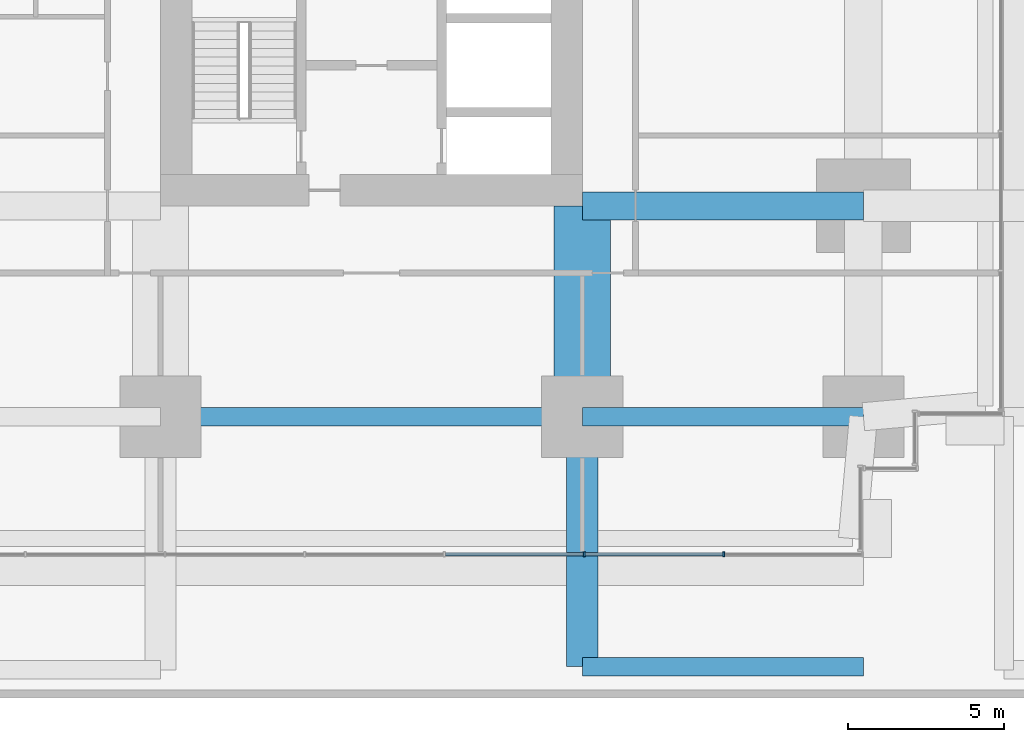
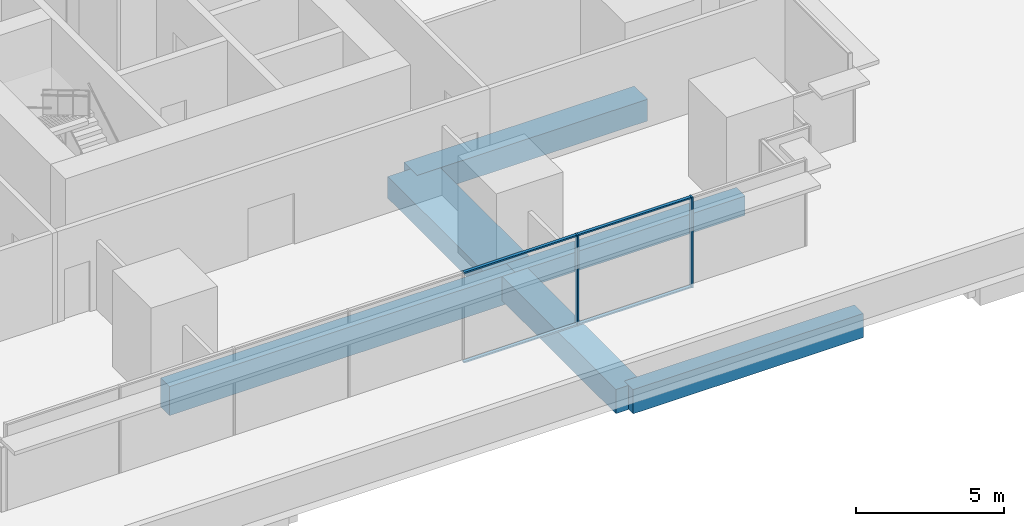
# One storey, part 3 of 34: 6 beams, 6 members, 1 element without a shape of its own.
"""IFC4 building model written with IfcOpenShell, lengths in metres."""

from ifc_helpers import new_model, si_unit, direction, frame, origin, origin_2d, place, context, subcontext, project, spatial, rectangle, extrude, material, layer, layer_set, material_profile, profile_set, type_object, element, aggregate, save


model = new_model("IFC4")

# Units and contexts
model_context = context("Model", 3, precision=1e-05, world=origin(), true_north=direction((0.0, 1.0)))
body_context = subcontext(model_context, "Body", "Model", "MODEL_VIEW")
ifc_project = project(units=[si_unit("LENGTHUNIT", "METRE"), si_unit("AREAUNIT", "SQUARE_METRE"), si_unit("VOLUMEUNIT", "CUBIC_METRE"), si_unit("PLANEANGLEUNIT", "RADIAN"), si_unit("MASSUNIT", "GRAM", prefix="KILO")], contexts=[model_context])

# Site, building, storey
site_placement = place(None, origin())
site = spatial("IfcSite", under=ifc_project, at=site_placement, CompositionType="ELEMENT")
building_placement = place(site_placement, origin())
building = spatial("IfcBuilding", under=site, at=building_placement, Name="Namib Vertical Campus", CompositionType="ELEMENT")
storey_placement = place(building_placement, frame((0.0, 0.0, 21.0)))
storey = spatial("IfcBuildingStorey", under=building, at=storey_placement, Name="L04", CompositionType="ELEMENT", Elevation=21.0)

# Curtain wall, members
ifc_material_1 = material(Name="Black aluminium curtain wall", Category="aluminium")
ifc_layer = layer(ifc_material_1, 0.199951171875)
ifc_layer_set = layer_set([ifc_layer], Name="Lounge curtain wall CW-L4")
curtain_wall_type = type_object("IfcCurtainWallType", Name="Lounge curtain wall CW-L4", PredefinedType="USERDEFINED", material=ifc_layer_set)
curtain_wall_placement = place(storey_placement, origin())
curtain_wall = element("IfcCurtainWall", 1, at=curtain_wall_placement, inside=storey, type_object=curtain_wall_type, Name="Curtain wall CW-L4 L04 F01-1", ObjectType="CURTAIN WALL", PredefinedType="USERDEFINED")
ifc_material_2 = material(Name="Black anodised aluminium", Category="aluminium")
ifc_material_profile_1 = material_profile(ifc_material_2, rectangle(XDim=0.06005859375, YDim=0.159912109375, at=origin_2d()))
ifc_profile_set_1 = profile_set([ifc_material_profile_1], Name="Black anodised aluminium")
member_type_1 = type_object("IfcMemberType", Name="Curtain wall mullion 60x160", PredefinedType="MULLION", material=ifc_profile_set_1)
member_1_placement = place(storey_placement, frame((27.05712890625, 0.10009765625, 0.0), z_axis=(0.0, 0.0, 1.0), x_axis=(1.0, 0.0, 0.0)))
member_1 = element("IfcMember", 2, at=member_1_placement, type_object=member_type_1, Name="CW-L4 mullion 6", PredefinedType="MULLION", context=body_context, shape_type="SweptSolid", body=[
    extrude(rectangle(XDim=0.06005859375, YDim=0.159912109375, at=origin_2d()), origin(), (0.0, 0.0, 1.0), 3.75),
])
member_2_placement = place(storey_placement, frame((31.528564453125, 0.10009765625, 0.0), z_axis=(0.0, 0.0, 1.0), x_axis=(1.0, 0.0, 0.0)))
member_2 = element("IfcMember", 3, at=member_2_placement, type_object=member_type_1, Name="CW-L4 mullion 7", PredefinedType="MULLION", context=body_context, shape_type="SweptSolid", body=[
    extrude(rectangle(XDim=0.06005859375, YDim=0.159912109375, at=origin_2d()), origin(), (0.0, 0.0, 1.0), 3.75),
])
ifc_material_3 = material(Name="Black anodised aluminium", Category="aluminium")
ifc_material_profile_2 = material_profile(ifc_material_3, rectangle(XDim=0.06005859375, YDim=0.1201171875, at=origin_2d()))
ifc_profile_set_2 = profile_set([ifc_material_profile_2], Name="Black anodised aluminium")
member_type_2 = type_object("IfcMemberType", Name="Curtain wall transom 60x120", PredefinedType="USERDEFINED", material=ifc_profile_set_2)
member_3_placement = place(storey_placement, frame((22.61572265625, 0.10009765625, 0.030029296875), z_axis=(1.0, 0.0, 0.0), x_axis=(0.0, 0.0, 1.0)))
member_3 = element("IfcMember", 4, at=member_3_placement, type_object=member_type_2, Name="CW-L4 transom 5.1", ObjectType="TRANSOM", PredefinedType="USERDEFINED", context=body_context, shape_type="SweptSolid", body=[
    extrude(rectangle(XDim=0.06005859375, YDim=0.1201171875, at=origin_2d()), origin(), (0.0, 0.0, 1.0), 4.411376953125),
])
member_4_placement = place(storey_placement, frame((22.61572265625, 0.10009765625, 3.719970703125), z_axis=(1.0, 0.0, 0.0), x_axis=(0.0, 0.0, 1.0)))
member_4 = element("IfcMember", 5, at=member_4_placement, type_object=member_type_2, Name="CW-L4 transom 5.2", ObjectType="TRANSOM", PredefinedType="USERDEFINED", context=body_context, shape_type="SweptSolid", body=[
    extrude(rectangle(XDim=0.06005859375, YDim=0.1201171875, at=origin_2d()), origin(), (0.0, 0.0, 1.0), 4.411376953125),
])
member_5_placement = place(storey_placement, frame((27.087158203125, 0.10009765625, 0.030029296875), z_axis=(1.0, 0.0, 0.0), x_axis=(0.0, 0.0, 1.0)))
member_5 = element("IfcMember", 6, at=member_5_placement, type_object=member_type_2, Name="CW-L4 transom 6.1", ObjectType="TRANSOM", PredefinedType="USERDEFINED", context=body_context, shape_type="SweptSolid", body=[
    extrude(rectangle(XDim=0.06005859375, YDim=0.1201171875, at=origin_2d()), origin(), (0.0, 0.0, 1.0), 4.411376953125),
])
member_6_placement = place(storey_placement, frame((27.087158203125, 0.10009765625, 3.719970703125), z_axis=(1.0, 0.0, 0.0), x_axis=(0.0, 0.0, 1.0)))
member_6 = element("IfcMember", 7, at=member_6_placement, type_object=member_type_2, Name="CW-L4 transom 6.2", ObjectType="TRANSOM", PredefinedType="USERDEFINED", context=body_context, shape_type="SweptSolid", body=[
    extrude(rectangle(XDim=0.06005859375, YDim=0.1201171875, at=origin_2d()), origin(), (0.0, 0.0, 1.0), 4.411376953125),
])
aggregate(curtain_wall, [member_1, member_2, member_3, member_4, member_5, member_6])

# Beams
ifc_material_4 = material(Name="Concrete C40/50", Category="concrete")
ifc_material_profile_3 = material_profile(ifc_material_4, rectangle(XDim=0.89990234375, YDim=0.89990234375, at=origin_2d()))
ifc_profile_set_3 = profile_set([ifc_material_profile_3], Name="Concrete C40/50")
beam_type_1 = type_object("IfcBeamType", Name="Face girder RC 900x900", PredefinedType="BEAM", material=ifc_profile_set_3)
beam_1_placement = place(storey_placement, frame((36.0, 11.25, -0.75), z_axis=(-1.0, 0.0, 0.0), x_axis=(0.0, -1.0, 0.0)))
element("IfcBeam", 8, at=beam_1_placement, inside=storey, type_object=beam_type_1, Name="Beam B10 L04", PredefinedType="BEAM", context=body_context, shape_type="SweptSolid", body=[
    extrude(rectangle(XDim=0.89990234375, YDim=0.89990234375, at=origin_2d()), origin(), (0.0, 0.0, 1.0), 9.0),
])
ifc_material_5 = material(Name="Concrete C40/50", Category="concrete")
ifc_material_profile_4 = material_profile(ifc_material_5, rectangle(XDim=0.60009765625, YDim=1.199951171875, at=origin_2d()))
ifc_profile_set_4 = profile_set([ifc_material_profile_4], Name="Concrete C40/50")
beam_type_2 = type_object("IfcBeamType", Name="Long-span ring beam RC 600x1200", PredefinedType="BEAM", material=ifc_profile_set_4)
beam_2_placement = place(storey_placement, frame((13.5, 4.5, -0.89990234375), z_axis=(1.0, 0.0, 0.0), x_axis=(0.0, 1.0, 0.0)))
element("IfcBeam", 9, at=beam_2_placement, inside=storey, type_object=beam_type_2, Name="Beam B9 L04", PredefinedType="BEAM", context=body_context, shape_type="SweptSolid", body=[
    extrude(rectangle(XDim=0.60009765625, YDim=1.199951171875, at=origin_2d()), origin(), (0.0, 0.0, 1.0), 13.5),
])
ifc_material_6 = material(Name="Concrete C40/50", Category="concrete")
ifc_material_profile_5 = material_profile(ifc_material_6, rectangle(XDim=1.800048828125, YDim=0.89990234375, at=origin_2d()))
ifc_profile_set_5 = profile_set([ifc_material_profile_5], Name="Concrete C40/50")
beam_type_3 = type_object("IfcBeamType", Name="Outrigger line girder RC 1800x900", PredefinedType="BEAM", material=ifc_profile_set_5)
beam_3_placement = place(storey_placement, frame((27.0, 4.5, -0.75), z_axis=(0.0, 1.0, 0.0), x_axis=(-1.0, 0.0, 0.0)))
element("IfcBeam", 10, at=beam_3_placement, inside=storey, type_object=beam_type_3, Name="Beam B12 L04", PredefinedType="BEAM", context=body_context, shape_type="SweptSolid", body=[
    extrude(rectangle(XDim=1.800048828125, YDim=0.89990234375, at=origin_2d()), origin(), (0.0, 0.0, 1.0), 6.75),
])
ifc_material_7 = material(Name="Concrete C40/50", Category="concrete")
ifc_material_profile_6 = material_profile(ifc_material_7, rectangle(XDim=0.60009765625, YDim=1.0, at=origin_2d()))
ifc_profile_set_6 = profile_set([ifc_material_profile_6], Name="Concrete C40/50")
beam_type_4 = type_object("IfcBeamType", Name="Podium beam RC 600x1000", PredefinedType="BEAM", material=ifc_profile_set_6)
beam_4_placement = place(storey_placement, frame((27.0, -3.5, -0.800048828125), z_axis=(1.0, 0.0, 0.0), x_axis=(0.0, 1.0, 0.0)))
element("IfcBeam", 11, at=beam_4_placement, inside=storey, type_object=beam_type_4, Name="Beam PB1 L04", PredefinedType="BEAM", context=body_context, shape_type="SweptSolid", body=[
    extrude(rectangle(XDim=0.60009765625, YDim=1.0, at=origin_2d()), origin(), (0.0, 0.0, 1.0), 9.0),
])
ifc_material_8 = material(Name="Concrete C40/50", Category="concrete")
ifc_material_profile_7 = material_profile(ifc_material_8, rectangle(XDim=1.0, YDim=1.0, at=origin_2d()))
ifc_profile_set_7 = profile_set([ifc_material_profile_7], Name="Concrete C40/50")
beam_type_5 = type_object("IfcBeamType", Name="Podium tie beam RC 1000x1000", PredefinedType="BEAM", material=ifc_profile_set_7)
beam_5_placement = place(storey_placement, frame((27.0, -3.5, -0.800048828125), z_axis=(0.0, 1.0, 0.0), x_axis=(-1.0, 0.0, 0.0)))
element("IfcBeam", 12, at=beam_5_placement, inside=storey, type_object=beam_type_5, Name="Beam PB3 L04", PredefinedType="BEAM", context=body_context, shape_type="SweptSolid", body=[
    extrude(rectangle(XDim=1.0, YDim=1.0, at=origin_2d()), origin(), (0.0, 0.0, 1.0), 8.0),
])
ifc_material_9 = material(Name="Concrete C40/50", Category="concrete")
ifc_material_profile_8 = material_profile(ifc_material_9, rectangle(XDim=0.60009765625, YDim=0.800048828125, at=origin_2d()))
ifc_profile_set_8 = profile_set([ifc_material_profile_8], Name="Concrete C40/50")
beam_type_6 = type_object("IfcBeamType", Name="Ring beam RC 600x800", PredefinedType="BEAM", material=ifc_profile_set_8)
beam_6_placement = place(storey_placement, frame((27.0, 4.5, -0.699951171875), z_axis=(1.0, 0.0, 0.0), x_axis=(0.0, 1.0, 0.0)))
element("IfcBeam", 13, at=beam_6_placement, inside=storey, type_object=beam_type_6, Name="Beam B1 L04", PredefinedType="BEAM", context=body_context, shape_type="SweptSolid", body=[
    extrude(rectangle(XDim=0.60009765625, YDim=0.800048828125, at=origin_2d()), origin(), (0.0, 0.0, 1.0), 9.0),
])

save(model, "model.ifc")
